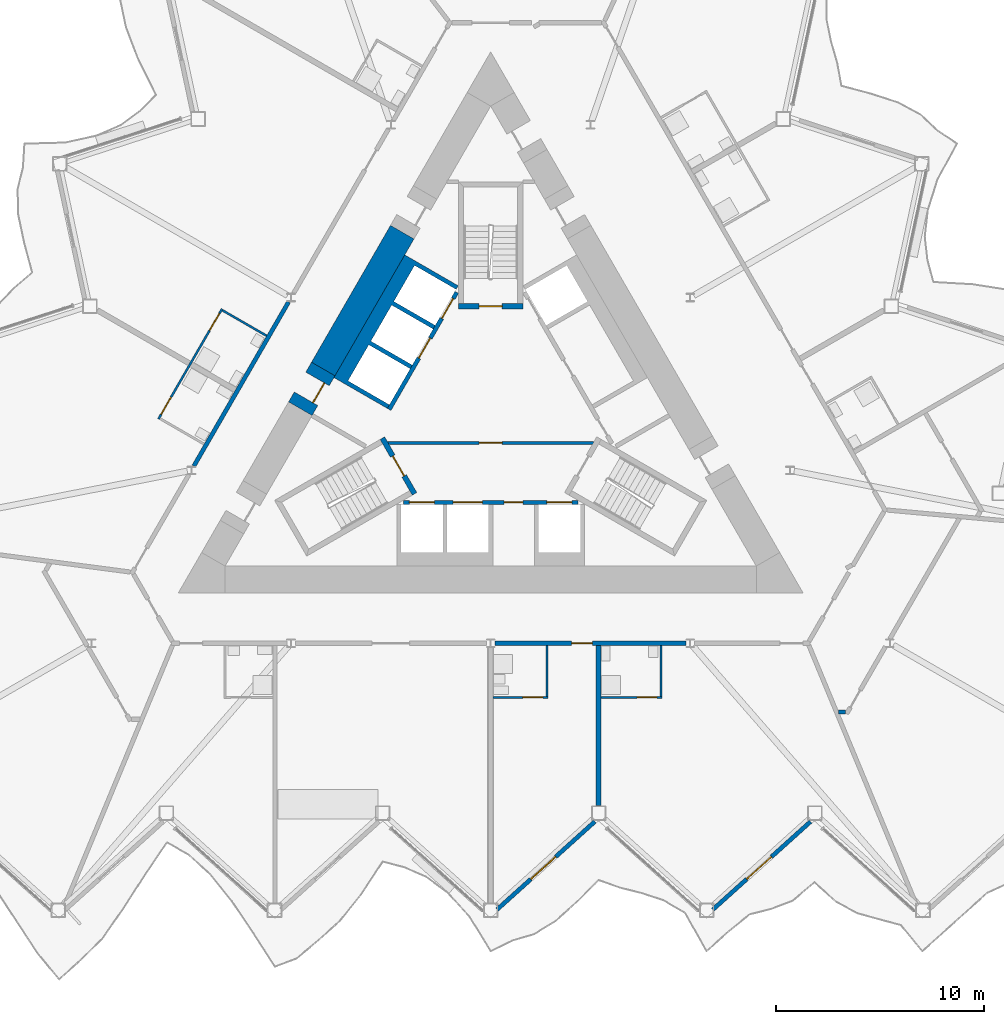
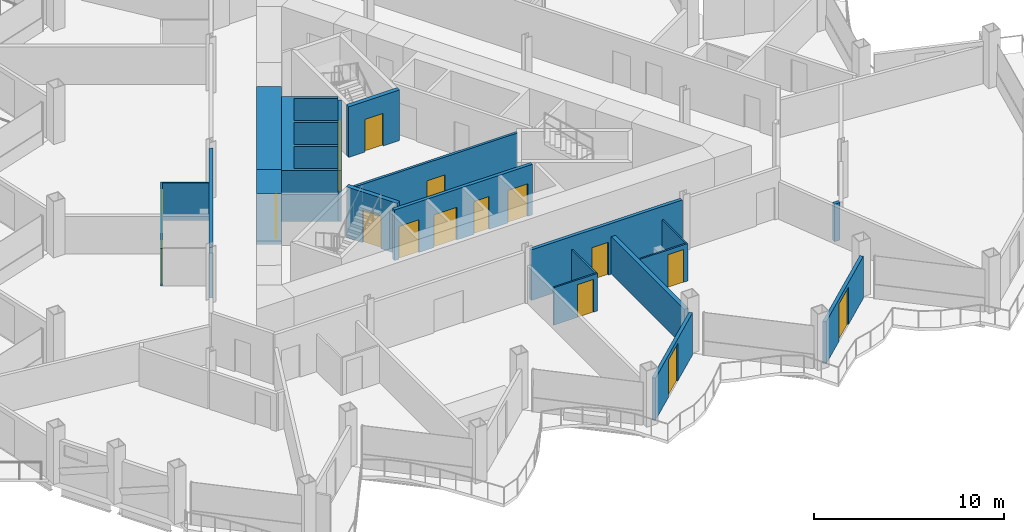
# One storey, part 12 of 23: 20 walls, 17 doors, 17 openings.
"""IFC4 building model written with IfcOpenShell, lengths in metres."""

import ifcopenshell
import ifcopenshell.guid

model = None  # the IFC model being written
_history = None  # IfcOwnerHistory: only IFC2X3 demands one
_inside = {}  # id of a spatial element -> (the spatial element, [elements in it])
_under = {}  # id of a project, library or spatial element -> (it, [spatial elements below it])
_declared = {}  # id of a project -> (the project, [libraries it declares])
_typed = {}  # id of a type object -> (the type object, [elements of that type])
_made_of = {}  # id of a material, layer set ... -> (it, [elements and type objects made of it])


def new_model(schema):
    """Start an empty IFC model of exactly this schema.

    Asked for "IFC4X3", IfcOpenShell would pick the latest addendum, in which some entities
    have other attributes; the version numbers below select the first issue.
    IFC2X3 requires an IfcOwnerHistory on every rooted entity: one is made here for all.
    """
    global model, _history
    if schema == "IFC4X3":
        model = ifcopenshell.file(schema_version=(4, 3, 0, 0))
    else:
        model = ifcopenshell.file(schema=schema)
    _inside.clear()
    _under.clear()
    _declared.clear()
    _typed.clear()
    _made_of.clear()
    _history = None
    if model.schema == "IFC2X3":
        org = make("IfcOrganization", Name="unknown")
        user = make(
            "IfcPersonAndOrganization",
            ThePerson=make("IfcPerson", FamilyName="unknown"),
            TheOrganization=org,
        )
        app = make(
            "IfcApplication",
            ApplicationDeveloper=org,
            Version="unknown",
            ApplicationFullName="unknown",
            ApplicationIdentifier="unknown",
        )
        _history = make(
            "IfcOwnerHistory",
            OwningUser=user,
            OwningApplication=app,
            ChangeAction="ADDED",
            CreationDate=0,
        )
    return model


def make(cls, **values):
    """One entity of the class cls with the attributes given. An attribute that is None is left unset."""
    return model.create_entity(
        cls, **{name: value for name, value in values.items() if value is not None}
    )


def rooted(cls, **values):
    """An entity with a GlobalId (a new one), such as an element, a storey or a relation."""
    return make(cls, GlobalId=ifcopenshell.guid.new(), OwnerHistory=_history, **values)


def si_unit(unit_type, name, prefix=None):
    """IfcSIUnit, for example si_unit("LENGTHUNIT", "METRE", prefix="MILLI")."""
    return make("IfcSIUnit", UnitType=unit_type, Prefix=prefix, Name=name)


def assignment(units):
    """IfcUnitAssignment: the units of a project."""
    return None if units is None else make("IfcUnitAssignment", Units=units)


def point(xyz):
    """IfcCartesianPoint."""
    return None if xyz is None else make("IfcCartesianPoint", Coordinates=xyz)


def direction(xyz):
    """IfcDirection."""
    return None if xyz is None else make("IfcDirection", DirectionRatios=xyz)


def frame(location, z_axis=None, x_axis=None):
    """IfcAxis2Placement3D, a coordinate frame: its origin and axes. An axis left out is left unset."""
    return make(
        "IfcAxis2Placement3D",
        Location=point(location),
        Axis=direction(z_axis),
        RefDirection=direction(x_axis),
    )


def frame_2d(location, x_axis=None):
    """IfcAxis2Placement2D, a coordinate frame in the plane: its origin and x axis."""
    return make(
        "IfcAxis2Placement2D", Location=point(location), RefDirection=direction(x_axis)
    )


def origin():
    """The frame at (0, 0, 0) with its axes left unset."""
    return frame((0.0, 0.0, 0.0))


def place(relative_to, where):
    """IfcLocalPlacement: puts the frame where relative to a parent placement (None: the world)."""
    return make(
        "IfcLocalPlacement", PlacementRelTo=relative_to, RelativePlacement=where
    )


def context(
    kind, dimensions, precision=None, world=None, true_north=None, identifier=None
):
    """IfcGeometricRepresentationContext, for example the 3D "Model" context."""
    return make(
        "IfcGeometricRepresentationContext",
        ContextIdentifier=identifier,
        ContextType=kind,
        CoordinateSpaceDimension=dimensions,
        Precision=precision,
        WorldCoordinateSystem=world,
        TrueNorth=true_north,
    )


def subcontext(parent, identifier, kind, view, scale=None):
    """IfcGeometricRepresentationSubContext, for example "Body" below "Model"."""
    return make(
        "IfcGeometricRepresentationSubContext",
        ContextIdentifier=identifier,
        ContextType=kind,
        ParentContext=parent,
        TargetScale=scale,
        TargetView=view,
    )


def project(units=None, contexts=None):
    """IfcProject with its units and contexts."""
    return rooted(
        "IfcProject",
        Name="project",
        RepresentationContexts=contexts,
        UnitsInContext=assignment(units),
    )


def spatial(cls, under=None, at=None, **own):
    """A site, building, storey or space (cls), placed at a placement, below another one or the project."""
    s = rooted(cls, ObjectPlacement=at, **own)
    if under is not None:
        _under.setdefault(under.id(), (under, []))[1].append(s)
    return s


def polyline(points):
    """IfcPolyline through the points."""
    return make("IfcPolyline", Points=[point(p) for p in points])


def profile(cls, at=None, kind="AREA", **sizes):
    """A parametric profile (cls). Its sizes go by their IFC names, for example OverallWidth=200.0."""
    return make(cls, ProfileType=kind, Position=at, **sizes)


def rectangle(**sizes):
    """IfcRectangleProfileDef."""
    return profile("IfcRectangleProfileDef", **sizes)


def outline(outer, holes=None, kind="AREA"):
    """IfcArbitraryClosedProfileDef: a profile drawn as a closed curve; with holes, ...WithVoids."""
    if holes is None:
        return make("IfcArbitraryClosedProfileDef", ProfileType=kind, OuterCurve=outer)
    return make(
        "IfcArbitraryProfileDefWithVoids",
        ProfileType=kind,
        OuterCurve=outer,
        InnerCurves=holes,
    )


def extrude(swept, where, along, depth):
    """IfcExtrudedAreaSolid: the profile swept, set in the frame where, extruded along a direction by depth."""
    return make(
        "IfcExtrudedAreaSolid",
        SweptArea=swept,
        Position=where,
        ExtrudedDirection=direction(along),
        Depth=depth,
    )


def shape(context_of_items, identifier, shape_type, items):
    """IfcShapeRepresentation: the items that make up one representation, for example the "Body"."""
    return make(
        "IfcShapeRepresentation",
        ContextOfItems=context_of_items,
        RepresentationIdentifier=identifier,
        RepresentationType=shape_type,
        Items=items,
    )


def material(Name=None, Category=None):
    """IfcMaterial."""
    return make("IfcMaterial", Name=Name, Category=Category)


def layer(
    of_material, thickness, ventilated=None, Name=None, Category=None, Priority=None
):
    """IfcMaterialLayer: one layer of a wall or slab, of a material (None: an air gap)."""
    return make(
        "IfcMaterialLayer",
        Material=of_material,
        LayerThickness=thickness,
        IsVentilated=ventilated,
        Name=Name,
        Category=Category,
        Priority=Priority,
    )


def layer_set(layers, Name=None):
    """IfcMaterialLayerSet."""
    return make("IfcMaterialLayerSet", MaterialLayers=layers, LayerSetName=Name)


def made_of(thing, what):
    """Note that an element or type object is made of a material, layer set ...; save() writes the relation."""
    if what is not None:
        _made_of.setdefault(what.id(), (what, []))[1].append(thing)
    return thing


def type_object(cls, material=None, **own):
    """A type object (cls), such as IfcWallType, which elements share."""
    return made_of(rooted(cls, **own), material)


def element(
    cls,
    number,
    at=None,
    inside=None,
    cuts=None,
    type_object=None,
    material=None,
    context=None,
    identifier="Body",
    shape_type=None,
    held_by="IfcProductDefinitionShape",
    body=None,
    shapes=None,
    **own,
):
    """One element of the class cls, such as IfcWall. Its Tag is "e" and its number.

    at: its placement. inside: the storey or other place that contains it. cuts: it is an
    opening in that element (IfcRelVoidsElement). A single representation is given by context,
    identifier, shape_type and body (its items); several are given by shapes. held_by: the class
    of the entity that holds the representations. save() writes the other relations.
    """
    e = rooted(cls, Tag="e%d" % number, ObjectPlacement=at, **own)
    if body is not None:
        shapes = [shape(context, identifier, shape_type, body)]
    if shapes is not None:
        e.Representation = make(held_by, Representations=shapes)
    if inside is not None:
        _inside.setdefault(inside.id(), (inside, []))[1].append(e)
    if cuts is not None:
        rooted(
            "IfcRelVoidsElement", RelatingBuildingElement=cuts, RelatedOpeningElement=e
        )
    if type_object is not None:
        _typed.setdefault(type_object.id(), (type_object, []))[1].append(e)
    return made_of(e, material)


def fill(opening, filler):
    """IfcRelFillsElement: the door or window that sits in an opening."""
    return rooted(
        "IfcRelFillsElement",
        RelatingOpeningElement=opening,
        RelatedBuildingElement=filler,
    )


def aggregate(whole, parts):
    """IfcRelAggregates: a whole, such as a stair, and the parts it consists of."""
    return rooted("IfcRelAggregates", RelatingObject=whole, RelatedObjects=parts)


def save(model, path):
    """Write the relations noted so far, then the file.

    IfcRelAggregates (storeys below a building ...), IfcRelContainedInSpatialStructure (elements
    in a storey), IfcRelDefinesByType, IfcRelAssociatesMaterial and IfcRelDeclares: one each for
    every whole, place, type object, material and project.
    """
    for whole, parts in _under.values():
        aggregate(whole, parts)
    for where, things in _inside.values():
        rooted(
            "IfcRelContainedInSpatialStructure",
            RelatedElements=things,
            RelatingStructure=where,
        )
    for kind, things in _typed.values():
        rooted("IfcRelDefinesByType", RelatedObjects=things, RelatingType=kind)
    for what, things in _made_of.values():
        rooted("IfcRelAssociatesMaterial", RelatedObjects=things, RelatingMaterial=what)
    for by, libraries in _declared.values():
        rooted("IfcRelDeclares", RelatingContext=by, RelatedDefinitions=libraries)
    model.write(path)


model = new_model("IFC4")

# Units and contexts
model_context = context("Model", 3, precision=1e-05, world=origin(), true_north=direction((0.0, 1.0)))
body_context = subcontext(model_context, "Body", "Model", "MODEL_VIEW")
ifc_project = project(units=[si_unit("LENGTHUNIT", "METRE"), si_unit("AREAUNIT", "SQUARE_METRE"), si_unit("VOLUMEUNIT", "CUBIC_METRE"), si_unit("PLANEANGLEUNIT", "RADIAN"), si_unit("MASSUNIT", "GRAM", prefix="KILO")], contexts=[model_context])

# Site, building, storey
site_placement = place(None, origin())
site = spatial("IfcSite", under=ifc_project, at=site_placement, CompositionType="ELEMENT")
building_placement = place(site_placement, origin())
building = spatial("IfcBuilding", under=site, at=building_placement, Name="Cormorant Prow Tower", CompositionType="ELEMENT")
storey_placement = place(building_placement, frame((0.0, 0.0, 256.199951171875)))
storey = spatial("IfcBuildingStorey", under=building, at=storey_placement, Name="L57", CompositionType="ELEMENT", Elevation=256.199951171875)

# Wall, opening, door
ifc_material_1 = material(Name="Gypsum board partition")
ifc_layer_1 = layer(ifc_material_1, 0.14990234375)
ifc_layer_set_1 = layer_set([ifc_layer_1], Name="Gypsum board partition")
wall_type_1 = type_object("IfcWallType", Name="Core partition 150", PredefinedType="PARTITIONING", material=ifc_layer_set_1)
wall_1_placement = place(storey_placement, frame((-4.941162109375, -1.449951171875, 0.0), z_axis=(0.0, 0.0, 1.0), x_axis=(1.0, 0.0, 0.0)))
wall_1 = element("IfcWall", 1, at=wall_1_placement, inside=storey, type_object=wall_type_1, Name="Firefighting lobby partition", PredefinedType="PARTITIONING", context=body_context, shape_type="SweptSolid", body=[
    extrude(rectangle(XDim=9.88232421875, YDim=0.14990234375, at=frame_2d((4.941162109375, 0.0))), origin(), (0.0, 0.0, 1.0), 3.25),
])
opening_1_placement = place(wall_1_placement, frame((4.39111328125, 0.0, 0.0)))
opening_1 = element("IfcOpeningElement", 2, at=opening_1_placement, cuts=wall_1, Name="Opening L57-C10", PredefinedType="OPENING", context=body_context, shape_type="SweptSolid", body=[
    extrude(rectangle(XDim=1.10009765625, YDim=2.10009765625, at=frame_2d((0.550048828125, 1.050048828125))), frame((0.0, 0.0849609375, 0.0), z_axis=(0.0, -1.0, 0.0), x_axis=(1.0, 0.0, 0.0)), (0.0, 0.0, 1.0), 0.169921875),
])
ifc_material_2 = material(Name="Painted steel", Category="steel")
door_type_1 = type_object("IfcDoorType", Name="Firefighting lobby door 1100x2100", OperationType="NOTDEFINED", PredefinedType="DOOR", material=ifc_material_2)
door_1_placement = place(opening_1_placement, origin())
door_1 = element("IfcDoor", 3, at=door_1_placement, inside=storey, type_object=door_type_1, Name="Firefighting lobby door", OperationType="SINGLE_SWING_RIGHT", OverallHeight=2.10009765625, OverallWidth=1.10009765625, PredefinedType="DOOR", context=body_context, shape_type="SweptSolid", body=[
    extrude(rectangle(XDim=1.10009765625, YDim=2.10009765625, at=frame_2d((0.550048828125, 1.050048828125))), frame((0.0, 0.02490234375, 0.0), z_axis=(0.0, -1.0, 0.0), x_axis=(1.0, 0.0, 0.0)), (0.0, 0.0, 1.0), 0.050048828125),
])
fill(opening_1, door_1)

# Wall
ifc_material_3 = material(Name="Concrete 8000 psi", Category="concrete")
ifc_layer_2 = layer(ifc_material_3, 1.300048828125)
ifc_layer_set_2 = layer_set([ifc_layer_2], Name="Concrete 8000 psi")
wall_type_2 = type_object("IfcWallType", Name="Core shear wall 1300", PredefinedType="SHEAR", material=ifc_layer_set_2)
wall_2_placement = place(storey_placement, frame((-4.2451171875, 8.667724609375, 0.0), z_axis=(0.0, 0.0, 1.0), x_axis=(-0.500002971097, -0.866023688414, 0.0)))
element("IfcWall", 4, at=wall_2_placement, inside=storey, type_object=wall_type_2, Name="Core wall", PredefinedType="SHEAR", context=body_context, shape_type="SweptSolid", body=[
    extrude(rectangle(XDim=7.583984375, YDim=1.300048828125, at=frame_2d((3.7919921875, 0.0))), origin(), (0.0, 0.0, 1.0), 3.25),
])

# Wall, opening, door
wall_3_placement = place(storey_placement, frame((-8.037109375, 2.099853515625, 0.0), z_axis=(0.0, 0.0, 1.0), x_axis=(-0.50002983664, -0.866008176907, 0.0)))
wall_3 = element("IfcWall", 5, at=wall_3_placement, inside=storey, type_object=wall_type_2, Name="Core wall door panel", PredefinedType="SHEAR", context=body_context, shape_type="SweptSolid", body=[
    extrude(rectangle(XDim=2.199951171875, YDim=1.300048828125, at=frame_2d((1.10009765625, 0.0))), origin(), (0.0, 0.0, 1.0), 3.25),
])
opening_2_placement = place(wall_3_placement, frame((0.550048828125, 0.0, 0.0)))
opening_2 = element("IfcOpeningElement", 6, at=opening_2_placement, cuts=wall_3, Name="Opening L57-C19", PredefinedType="OPENING", context=body_context, shape_type="SweptSolid", body=[
    extrude(rectangle(XDim=1.10009765625, YDim=2.10009765625, at=frame_2d((0.550048828125, 1.050048828125))), frame((0.0, 0.659912109375, 0.0), z_axis=(0.0, -1.0, 0.0), x_axis=(1.0, 0.0, 0.0)), (0.0, 0.0, 1.0), 1.320068359375),
])
ifc_material_4 = material(Name="Painted steel", Category="steel")
door_type_2 = type_object("IfcDoorType", Name="Core door 1100x2100", OperationType="NOTDEFINED", PredefinedType="DOOR", material=ifc_material_4)
door_2_placement = place(opening_2_placement, origin())
door_2 = element("IfcDoor", 7, at=door_2_placement, inside=storey, type_object=door_type_2, Name="Core door, lift lobby", OperationType="SINGLE_SWING_RIGHT", OverallHeight=2.10009765625, OverallWidth=1.10009765625, PredefinedType="DOOR", context=body_context, shape_type="SweptSolid", body=[
    extrude(rectangle(XDim=1.10009765625, YDim=2.10009765625, at=frame_2d((0.550048828125, 1.050048828125))), frame((0.0, 0.40478515625, 0.0), z_axis=(0.0, -1.0, 0.0), x_axis=(1.0, 0.0, 0.0)), (0.0, 0.0, 1.0), 0.050048828125),
])
fill(opening_2, door_2)

ifc_material_5 = material(Name="Gypsum board corridor wall")
ifc_layer_3 = layer(ifc_material_5, 0.199951171875)
ifc_layer_set_3 = layer_set([ifc_layer_3], Name="Gypsum board corridor wall")
wall_type_3 = type_object("IfcWallType", Name="Corridor wall 200", PredefinedType="PARTITIONING", material=ifc_layer_set_3)
wall_4_placement = place(storey_placement, frame((0.20947265625, -11.060302734375, 0.0), z_axis=(0.0, 0.0, 1.0), x_axis=(1.0, 0.0, 0.0)))
wall_4 = element("IfcWall", 8, at=wall_4_placement, inside=storey, type_object=wall_type_3, Name="Corridor wall", PredefinedType="PARTITIONING", context=body_context, shape_type="SweptSolid", body=[
    extrude(rectangle(XDim=9.159423828125, YDim=0.199951171875, at=frame_2d((4.57958984375, 0.0))), origin(), (0.0, 0.0, 1.0), 3.25),
])
opening_3_placement = place(wall_4_placement, frame((3.676513671875, 0.0, 0.0)))
opening_3 = element("IfcOpeningElement", 9, at=opening_3_placement, cuts=wall_4, Name="Opening L57-F04", PredefinedType="OPENING", context=body_context, shape_type="SweptSolid", body=[
    extrude(rectangle(XDim=1.0, YDim=2.10009765625, at=frame_2d((0.5, 1.050048828125))), frame((0.0, 0.10986328125, 0.0), z_axis=(0.0, -1.0, 0.0), x_axis=(1.0, 0.0, 0.0)), (0.0, 0.0, 1.0), 0.219970703125),
])
ifc_material_6 = material(Name="Timber door leaf", Category="wood")
door_type_3 = type_object("IfcDoorType", Name="Flat or room entrance door 1000x2100", OperationType="NOTDEFINED", PredefinedType="DOOR", material=ifc_material_6)
door_3_placement = place(opening_3_placement, origin())
door_3 = element("IfcDoor", 10, at=door_3_placement, inside=storey, type_object=door_type_3, Name="Guest room door", OperationType="SINGLE_SWING_RIGHT", OverallHeight=2.10009765625, OverallWidth=1.0, PredefinedType="DOOR", context=body_context, shape_type="SweptSolid", body=[
    extrude(rectangle(XDim=1.0, YDim=2.10009765625, at=frame_2d((0.5, 1.050048828125))), frame((0.0, 0.02490234375, 0.0), z_axis=(0.0, -1.0, 0.0), x_axis=(1.0, 0.0, 0.0)), (0.0, 0.0, 1.0), 0.050048828125),
])
fill(opening_3, door_3)

# Walls
wall_5_placement = place(storey_placement, frame((-14.24658203125, -2.5556640625, 0.0), z_axis=(0.0, 0.0, 1.0), x_axis=(0.49998193945, 0.866035830797, 0.0)))
element("IfcWall", 11, at=wall_5_placement, inside=storey, type_object=wall_type_3, Name="Corridor wall", PredefinedType="PARTITIONING", context=body_context, shape_type="SweptSolid", body=[
    extrude(rectangle(XDim=9.094482421875, YDim=0.199951171875, at=frame_2d((4.54736328125, 0.0))), origin(), (0.0, 0.0, 1.0), 3.25),
])
ifc_material_7 = material(Name="Gypsum board demising wall")
ifc_layer_4 = layer(ifc_material_7, 0.199951171875)
ifc_layer_set_4 = layer_set([ifc_layer_4], Name="Gypsum board demising wall")
wall_type_4 = type_object("IfcWallType", Name="Demising wall 200", PredefinedType="PARTITIONING", material=ifc_layer_set_4)
wall_6_placement = place(storey_placement, frame((16.69775390625, -14.3603515625, 0.0), z_axis=(0.0, 0.0, 1.0), x_axis=(1.0, 0.0, 0.0)))
element("IfcWall", 12, at=wall_6_placement, inside=storey, type_object=wall_type_4, Name="Demising wall", PredefinedType="PARTITIONING", context=body_context, shape_type="SweptSolid", body=[
    extrude(rectangle(XDim=0.33837890625, YDim=0.199951171875, at=frame_2d((0.169189453125, 0.0))), origin(), (0.0, 0.0, 1.0), 2.404296875),
])

# Wall, openings, doors
ifc_material_8 = material(Name="Gypsum board partition")
ifc_layer_5 = layer(ifc_material_8, 0.10009765625)
ifc_layer_set_5 = layer_set([ifc_layer_5], Name="Gypsum board partition")
wall_type_5 = type_object("IfcWallType", Name="Internal partition 100", PredefinedType="PARTITIONING", material=ifc_layer_set_5)
wall_7_placement = place(storey_placement, frame((-15.94482421875, -0.296875, 0.0), z_axis=(0.0, 0.0, 1.0), x_axis=(0.499978833458, 0.866037623948, 0.0)))
wall_7 = element("IfcWall", 13, at=wall_7_placement, inside=storey, type_object=wall_type_5, Name="Internal partition", PredefinedType="PARTITIONING", context=body_context, shape_type="SweptSolid", body=[
    extrude(rectangle(XDim=6.099853515625, YDim=0.10009765625, at=frame_2d((3.0498046875, 0.0))), origin(), (0.0, 0.0, 1.0), 2.404296875),
])
opening_4_placement = place(wall_7_placement, frame((4.89990234375, 0.0, 0.0)))
opening_4 = element("IfcOpeningElement", 14, at=opening_4_placement, cuts=wall_7, Name="Opening L57-F22", PredefinedType="OPENING", context=body_context, shape_type="SweptSolid", body=[
    extrude(rectangle(XDim=0.949951171875, YDim=2.10009765625, at=frame_2d((0.47509765625, 1.050048828125))), frame((0.0, 0.06005859375, 0.0), z_axis=(0.0, -1.0, 0.0), x_axis=(1.0, 0.0, 0.0)), (0.0, 0.0, 1.0), 0.1201171875),
])
opening_5_placement = place(wall_7_placement, frame((0.25, 0.0, 0.0)))
opening_5 = element("IfcOpeningElement", 15, at=opening_5_placement, cuts=wall_7, Name="Opening L57-F24", PredefinedType="OPENING", context=body_context, shape_type="SweptSolid", body=[
    extrude(rectangle(XDim=0.949951171875, YDim=2.10009765625, at=frame_2d((0.47509765625, 1.050048828125))), frame((0.0, 0.06005859375, 0.0), z_axis=(0.0, -1.0, 0.0), x_axis=(1.0, 0.0, 0.0)), (0.0, 0.0, 1.0), 0.1201171875),
])
ifc_material_9 = material(Name="Timber door leaf", Category="wood")
door_type_4 = type_object("IfcDoorType", Name="Bathroom door 950x2100", OperationType="NOTDEFINED", PredefinedType="DOOR", material=ifc_material_9)
door_4_placement = place(opening_4_placement, origin())
door_4 = element("IfcDoor", 16, at=door_4_placement, inside=storey, type_object=door_type_4, Name="Executive suite bedroom door", OperationType="SINGLE_SWING_RIGHT", OverallHeight=2.10009765625, OverallWidth=0.949951171875, PredefinedType="DOOR", context=body_context, shape_type="SweptSolid", body=[
    extrude(rectangle(XDim=0.949951171875, YDim=2.10009765625, at=frame_2d((0.47509765625, 1.050048828125))), frame((0.0, 0.02490234375, 0.0), z_axis=(0.0, -1.0, 0.0), x_axis=(1.0, 0.0, 0.0)), (0.0, 0.0, 1.0), 0.050048828125),
])
fill(opening_4, door_4)
door_5_placement = place(opening_5_placement, origin())
door_5 = element("IfcDoor", 17, at=door_5_placement, inside=storey, type_object=door_type_4, Name="Executive suite bedroom door", OperationType="SINGLE_SWING_LEFT", OverallHeight=2.10009765625, OverallWidth=0.949951171875, PredefinedType="DOOR", context=body_context, shape_type="SweptSolid", body=[
    extrude(rectangle(XDim=0.949951171875, YDim=2.10009765625, at=frame_2d((0.47509765625, 1.050048828125))), frame((0.0, 0.02490234375, 0.0), z_axis=(0.0, -1.0, 0.0), x_axis=(1.0, 0.0, 0.0)), (0.0, 0.0, 1.0), 0.050048828125),
])
fill(opening_5, door_5)

# Wall, opening, door
wall_8_placement = place(storey_placement, frame((5.304443359375, -13.660400390625, 0.0), z_axis=(0.0, 0.0, 1.0), x_axis=(1.0, 0.0, 0.0)))
wall_8 = element("IfcWall", 18, at=wall_8_placement, inside=storey, type_object=wall_type_5, Name="Internal partition", PredefinedType="PARTITIONING", context=body_context, shape_type="SweptSolid", body=[
    extrude(rectangle(XDim=2.925048828125, YDim=0.10009765625, at=frame_2d((1.46240234375, 0.0))), origin(), (0.0, 0.0, 1.0), 2.404296875),
])
opening_6_placement = place(wall_8_placement, frame((1.72509765625, 0.0, 0.0)))
opening_6 = element("IfcOpeningElement", 19, at=opening_6_placement, cuts=wall_8, Name="Opening L57-F07", PredefinedType="OPENING", context=body_context, shape_type="SweptSolid", body=[
    extrude(rectangle(XDim=0.949951171875, YDim=2.10009765625, at=frame_2d((0.47509765625, 1.050048828125))), frame((0.0, 0.06005859375, 0.0), z_axis=(0.0, -1.0, 0.0), x_axis=(1.0, 0.0, 0.0)), (0.0, 0.0, 1.0), 0.1201171875),
])
door_6_placement = place(opening_6_placement, origin())
door_6 = element("IfcDoor", 20, at=door_6_placement, inside=storey, type_object=door_type_4, Name="Executive suite bedroom door", OperationType="SINGLE_SWING_RIGHT", OverallHeight=2.10009765625, OverallWidth=0.949951171875, PredefinedType="DOOR", context=body_context, shape_type="SweptSolid", body=[
    extrude(rectangle(XDim=0.949951171875, YDim=2.10009765625, at=frame_2d((0.47509765625, 1.050048828125))), frame((0.0, 0.02490234375, 0.0), z_axis=(0.0, -1.0, 0.0), x_axis=(1.0, 0.0, 0.0)), (0.0, 0.0, 1.0), 0.050048828125),
])
fill(opening_6, door_6)

wall_9_placement = place(storey_placement, frame((0.10009765625, -13.660400390625, 0.0), z_axis=(0.0, 0.0, 1.0), x_axis=(1.0, 0.0, 0.0)))
wall_9 = element("IfcWall", 21, at=wall_9_placement, inside=storey, type_object=wall_type_5, Name="Internal partition", PredefinedType="PARTITIONING", context=body_context, shape_type="SweptSolid", body=[
    extrude(rectangle(XDim=2.64990234375, YDim=0.10009765625, at=frame_2d((1.324951171875, 0.0))), origin(), (0.0, 0.0, 1.0), 2.404296875),
])
opening_7_placement = place(wall_9_placement, frame((1.449951171875, 0.0, 0.0)))
opening_7 = element("IfcOpeningElement", 22, at=opening_7_placement, cuts=wall_9, Name="Opening L57-F05", PredefinedType="OPENING", context=body_context, shape_type="SweptSolid", body=[
    extrude(rectangle(XDim=0.949951171875, YDim=2.10009765625, at=frame_2d((0.47509765625, 1.050048828125))), frame((0.0, 0.06005859375, 0.0), z_axis=(0.0, -1.0, 0.0), x_axis=(1.0, 0.0, 0.0)), (0.0, 0.0, 1.0), 0.1201171875),
])
door_7_placement = place(opening_7_placement, origin())
door_7 = element("IfcDoor", 23, at=door_7_placement, inside=storey, type_object=door_type_4, Name="Guest room door", OperationType="SINGLE_SWING_RIGHT", OverallHeight=2.10009765625, OverallWidth=0.949951171875, PredefinedType="DOOR", context=body_context, shape_type="SweptSolid", body=[
    extrude(rectangle(XDim=0.949951171875, YDim=2.10009765625, at=frame_2d((0.47509765625, 1.050048828125))), frame((0.0, 0.02490234375, 0.0), z_axis=(0.0, -1.0, 0.0), x_axis=(1.0, 0.0, 0.0)), (0.0, 0.0, 1.0), 0.050048828125),
])
fill(opening_7, door_7)

# Walls
for number, where, z_axis, x_axis, name in (
    (24, (-12.876708984375, 4.91748046875, 0.0), (0.0, 0.0, 1.0), (0.866057815567, -0.499943856944, 0.0), "Internal partition"),
    (25, (2.699951171875, -13.6103515625, 0.0), (0.0, 0.0, 1.0), (0.0, 1.0, 0.0), "Internal partition"),
    (26, (8.179443359375, -13.6103515625, 0.0), (0.0, 0.0, 1.0), (0.0, 1.0, 0.0), "Internal partition"),
):
    element("IfcWall", number, at=place(storey_placement, frame(where, z_axis=z_axis, x_axis=x_axis)), inside=storey, type_object=wall_type_5, Name=name, PredefinedType="PARTITIONING", context=body_context, shape_type="SweptSolid", body=[
        extrude(rectangle(XDim=2.449951171875, YDim=0.10009765625, at=frame_2d((1.22509765625, 0.0))), origin(), (0.0, 0.0, 1.0), 2.404296875),
    ])

# Wall, openings, doors
ifc_material_10 = material(Name="Concrete 5000 psi", Category="concrete")
ifc_layer_6 = layer(ifc_material_10, 0.199951171875)
ifc_layer_set_6 = layer_set([ifc_layer_6], Name="Concrete 5000 psi")
wall_type_6 = type_object("IfcWallType", Name="Lift lobby wall 200", PredefinedType="SOLIDWALL", material=ifc_layer_set_6)
wall_10_placement = place(storey_placement, frame((-4.1865234375, -4.300048828125, 0.0), z_axis=(0.0, 0.0, 1.0), x_axis=(1.0, 0.0, 0.0)))
wall_10 = element("IfcWall", 27, at=wall_10_placement, inside=storey, type_object=wall_type_6, Name="Lift lobby wall, S block", PredefinedType="SOLIDWALL", context=body_context, shape_type="SweptSolid", body=[
    extrude(rectangle(XDim=8.373046875, YDim=0.199951171875, at=frame_2d((4.1865234375, 0.0))), origin(), (0.0, 0.0, 1.0), 3.25),
])
opening_8_placement = place(wall_10_placement, frame((0.28662109375, 0.0, 0.0)))
opening_8 = element("IfcOpeningElement", 28, at=opening_8_placement, cuts=wall_10, Name="Opening L57-C01", PredefinedType="OPENING", context=body_context, shape_type="SweptSolid", body=[
    extrude(rectangle(XDim=1.199951171875, YDim=2.10009765625, at=frame_2d((0.60009765625, 1.050048828125))), frame((0.0, 0.10986328125, 0.0), z_axis=(0.0, -1.0, 0.0), x_axis=(1.0, 0.0, 0.0)), (0.0, 0.0, 1.0), 0.219970703125),
])
opening_9_placement = place(wall_10_placement, frame((2.38671875, 0.0, 0.0)))
opening_9 = element("IfcOpeningElement", 29, at=opening_9_placement, cuts=wall_10, Name="Opening L57-C02", PredefinedType="OPENING", context=body_context, shape_type="SweptSolid", body=[
    extrude(rectangle(XDim=1.39990234375, YDim=2.10009765625, at=frame_2d((0.699951171875, 1.050048828125))), frame((0.0, 0.10986328125, 0.0), z_axis=(0.0, -1.0, 0.0), x_axis=(1.0, 0.0, 0.0)), (0.0, 0.0, 1.0), 0.219970703125),
])
opening_10_placement = place(wall_10_placement, frame((4.836669921875, 0.0, 0.0)))
opening_10 = element("IfcOpeningElement", 30, at=opening_10_placement, cuts=wall_10, Name="Opening L57-C03", PredefinedType="OPENING", context=body_context, shape_type="SweptSolid", body=[
    extrude(rectangle(XDim=0.89990234375, YDim=2.10009765625, at=frame_2d((0.449951171875, 1.050048828125))), frame((0.0, 0.10986328125, 0.0), z_axis=(0.0, -1.0, 0.0), x_axis=(1.0, 0.0, 0.0)), (0.0, 0.0, 1.0), 0.219970703125),
])
opening_11_placement = place(wall_10_placement, frame((6.88671875, 0.0, 0.0)))
opening_11 = element("IfcOpeningElement", 31, at=opening_11_placement, cuts=wall_10, Name="Opening L57-C04", PredefinedType="OPENING", context=body_context, shape_type="SweptSolid", body=[
    extrude(rectangle(XDim=1.199951171875, YDim=2.10009765625, at=frame_2d((0.60009765625, 1.050048828125))), frame((0.0, 0.10986328125, 0.0), z_axis=(0.0, -1.0, 0.0), x_axis=(1.0, 0.0, 0.0)), (0.0, 0.0, 1.0), 0.219970703125),
])
ifc_material_11 = material(Name="Painted steel", Category="steel")
door_type_5 = type_object("IfcDoorType", Name="Firefighting lift landing door 1200x2100", OperationType="SLIDING_TO_LEFT", PredefinedType="DOOR", material=ifc_material_11)
door_8_placement = place(opening_8_placement, origin())
door_8 = element("IfcDoor", 32, at=door_8_placement, inside=storey, type_object=door_type_5, Name="Landing door FL1", OperationType="SLIDING_TO_LEFT", OverallHeight=2.10009765625, OverallWidth=1.199951171875, PredefinedType="DOOR", context=body_context, shape_type="SweptSolid", body=[
    extrude(rectangle(XDim=1.199951171875, YDim=2.10009765625, at=frame_2d((0.60009765625, 1.050048828125))), frame((0.0, 0.02490234375, 0.0), z_axis=(0.0, -1.0, 0.0), x_axis=(1.0, 0.0, 0.0)), (0.0, 0.0, 1.0), 0.050048828125),
])
fill(opening_8, door_8)
door_9_placement = place(opening_11_placement, origin())
door_9 = element("IfcDoor", 33, at=door_9_placement, inside=storey, type_object=door_type_5, Name="Landing door FL2", OperationType="SLIDING_TO_LEFT", OverallHeight=2.10009765625, OverallWidth=1.199951171875, PredefinedType="DOOR", context=body_context, shape_type="SweptSolid", body=[
    extrude(rectangle(XDim=1.199951171875, YDim=2.10009765625, at=frame_2d((0.60009765625, 1.050048828125))), frame((0.0, 0.02490234375, 0.0), z_axis=(0.0, -1.0, 0.0), x_axis=(1.0, 0.0, 0.0)), (0.0, 0.0, 1.0), 0.050048828125),
])
fill(opening_11, door_9)
ifc_material_12 = material(Name="Painted steel", Category="steel")
door_type_6 = type_object("IfcDoorType", Name="Service door 900x2100", OperationType="NOTDEFINED", PredefinedType="DOOR", material=ifc_material_12)
door_10_placement = place(opening_10_placement, origin())
door_10 = element("IfcDoor", 34, at=door_10_placement, inside=storey, type_object=door_type_6, Name="Service door, Refuse store", OperationType="SINGLE_SWING_RIGHT", OverallHeight=2.10009765625, OverallWidth=0.89990234375, PredefinedType="DOOR", context=body_context, shape_type="SweptSolid", body=[
    extrude(rectangle(XDim=0.89990234375, YDim=2.10009765625, at=frame_2d((0.449951171875, 1.050048828125))), frame((0.0, 0.02490234375, 0.0), z_axis=(0.0, -1.0, 0.0), x_axis=(1.0, 0.0, 0.0)), (0.0, 0.0, 1.0), 0.050048828125),
])
fill(opening_10, door_10)
ifc_material_13 = material(Name="Painted steel", Category="steel")
door_type_7 = type_object("IfcDoorType", Name="Service lift landing door 1400x2100", OperationType="SLIDING_TO_LEFT", PredefinedType="DOOR", material=ifc_material_13)
door_11_placement = place(opening_9_placement, origin())
door_11 = element("IfcDoor", 35, at=door_11_placement, inside=storey, type_object=door_type_7, Name="Landing door SL1", OperationType="SLIDING_TO_LEFT", OverallHeight=2.10009765625, OverallWidth=1.39990234375, PredefinedType="DOOR", context=body_context, shape_type="SweptSolid", body=[
    extrude(rectangle(XDim=1.39990234375, YDim=2.10009765625, at=frame_2d((0.699951171875, 1.050048828125))), frame((0.0, 0.02490234375, 0.0), z_axis=(0.0, -1.0, 0.0), x_axis=(1.0, 0.0, 0.0)), (0.0, 0.0, 1.0), 0.050048828125),
])
fill(opening_9, door_11)

wall_11_placement = place(storey_placement, frame((-1.630615234375, 5.775634765625, 0.0), z_axis=(0.0, 0.0, 1.0), x_axis=(-0.499992876559, -0.866029516466, 0.0)))
wall_11 = element("IfcWall", 36, at=wall_11_placement, inside=storey, type_object=wall_type_6, Name="Lift lobby wall, WNW block", PredefinedType="SOLIDWALL", context=body_context, shape_type="SweptSolid", body=[
    extrude(rectangle(XDim=6.486328125, YDim=0.199951171875, at=frame_2d((3.2431640625, 0.0))), origin(), (0.0, 0.0, 1.0), 3.25),
])
opening_12_placement = place(wall_11_placement, frame((0.336669921875, 0.0, 0.0)))
opening_12 = element("IfcOpeningElement", 37, at=opening_12_placement, cuts=wall_11, Name="Opening L57-C08", PredefinedType="OPENING", context=body_context, shape_type="SweptSolid", body=[
    extrude(rectangle(XDim=1.10009765625, YDim=2.10009765625, at=frame_2d((0.550048828125, 1.050048828125))), frame((0.0, 0.10986328125, 0.0), z_axis=(0.0, -1.0, 0.0), x_axis=(1.0, 0.0, 0.0)), (0.0, 0.0, 1.0), 0.219970703125),
])
opening_13_placement = place(wall_11_placement, frame((2.53662109375, 0.0, 0.0)))
opening_13 = element("IfcOpeningElement", 38, at=opening_13_placement, cuts=wall_11, Name="Opening L57-C09", PredefinedType="OPENING", context=body_context, shape_type="SweptSolid", body=[
    extrude(rectangle(XDim=1.10009765625, YDim=2.10009765625, at=frame_2d((0.550048828125, 1.050048828125))), frame((0.0, 0.10986328125, 0.0), z_axis=(0.0, -1.0, 0.0), x_axis=(1.0, 0.0, 0.0)), (0.0, 0.0, 1.0), 0.219970703125),
])
ifc_material_14 = material(Name="Painted steel", Category="steel")
door_type_8 = type_object("IfcDoorType", Name="Lift landing door 1100x2100", OperationType="SLIDING_TO_LEFT", PredefinedType="DOOR", material=ifc_material_14)
door_12_placement = place(opening_12_placement, origin())
door_12 = element("IfcDoor", 39, at=door_12_placement, inside=storey, type_object=door_type_8, Name="Landing door MR2", OperationType="SLIDING_TO_LEFT", OverallHeight=2.10009765625, OverallWidth=1.10009765625, PredefinedType="DOOR", context=body_context, shape_type="SweptSolid", body=[
    extrude(rectangle(XDim=1.10009765625, YDim=2.10009765625, at=frame_2d((0.550048828125, 1.050048828125))), frame((0.0, 0.02490234375, 0.0), z_axis=(0.0, -1.0, 0.0), x_axis=(1.0, 0.0, 0.0)), (0.0, 0.0, 1.0), 0.050048828125),
])
fill(opening_12, door_12)
door_13_placement = place(opening_13_placement, origin())
door_13 = element("IfcDoor", 40, at=door_13_placement, inside=storey, type_object=door_type_8, Name="Landing door MR3", OperationType="SLIDING_TO_LEFT", OverallHeight=2.10009765625, OverallWidth=1.10009765625, PredefinedType="DOOR", context=body_context, shape_type="SweptSolid", body=[
    extrude(rectangle(XDim=1.10009765625, YDim=2.10009765625, at=frame_2d((0.550048828125, 1.050048828125))), frame((0.0, 0.02490234375, 0.0), z_axis=(0.0, -1.0, 0.0), x_axis=(1.0, 0.0, 0.0)), (0.0, 0.0, 1.0), 0.050048828125),
])
fill(opening_13, door_13)

# Wall
ifc_material_15 = material(Name="Concrete 8000 psi", Category="concrete")
ifc_layer_7 = layer(ifc_material_15, 0.199951171875)
ifc_layer_set_7 = layer_set([ifc_layer_7], Name="Concrete 8000 psi")
wall_type_7 = type_object("IfcWallType", Name="Lift shaft wall 200", PredefinedType="SHEAR", material=ifc_layer_set_7)
wall_12_placement = place(storey_placement, origin())
element("IfcWall", 41, at=wall_12_placement, inside=storey, type_object=wall_type_7, Name="Lift shaft walls, WNW block", PredefinedType="SHEAR", context=body_context, shape_type="SweptSolid", body=[
    extrude(outline(polyline([(-7.524169921875, 1.688232421875), (-4.124267578125, 7.5771484375), (-3.730712890625, 7.35009765625), (-1.560546875, 6.09716796875), (-1.660400390625, 5.923828125), (-3.65234375, 7.073974609375), (-4.65234375, 5.341796875), (-2.660400390625, 4.19189453125), (-2.760498046875, 4.018798828125), (-4.75244140625, 5.168701171875), (-5.75244140625, 3.4365234375), (-3.760498046875, 2.28662109375), (-3.860595703125, 2.11328125), (-5.852294921875, 3.263427734375), (-6.852294921875, 1.53125), (-4.860595703125, 0.38134765625), (-4.96044921875, 0.2080078125), (-7.130859375, 1.461181640625), (-7.524169921875, 1.688232421875)])), origin(), (0.0, 0.0, 1.0), 3.25),
])

# Wall, opening, door
ifc_material_16 = material(Name="Concrete 8000 psi", Category="concrete")
ifc_layer_8 = layer(ifc_material_16, 0.25)
ifc_layer_set_8 = layer_set([ifc_layer_8], Name="Concrete 8000 psi")
wall_type_8 = type_object("IfcWallType", Name="Stair wall 250", PredefinedType="SHEAR", material=ifc_layer_set_8)
wall_13_placement = place(storey_placement, frame((-5.198974609375, -1.21875, 0.0), z_axis=(0.0, 0.0, 1.0), x_axis=(0.499982516597, -0.866035497597, 0.0)))
wall_13 = element("IfcWall", 42, at=wall_13_placement, inside=storey, type_object=wall_type_8, Name="Stair ST1 door wall", PredefinedType="SHEAR", context=body_context, shape_type="SweptSolid", body=[
    extrude(rectangle(XDim=3.087890625, YDim=0.25, at=frame_2d((1.5439453125, 0.0))), origin(), (0.0, 0.0, 1.0), 3.25),
])
opening_14_placement = place(wall_13_placement, frame((0.993896484375, 0.0, 0.0)))
opening_14 = element("IfcOpeningElement", 43, at=opening_14_placement, cuts=wall_13, Name="Opening L57-C11", PredefinedType="OPENING", context=body_context, shape_type="SweptSolid", body=[
    extrude(rectangle(XDim=1.10009765625, YDim=2.10009765625, at=frame_2d((0.550048828125, 1.050048828125))), frame((0.0, 0.135009765625, 0.0), z_axis=(0.0, -1.0, 0.0), x_axis=(1.0, 0.0, 0.0)), (0.0, 0.0, 1.0), 0.27001953125),
])
ifc_material_17 = material(Name="Painted steel", Category="steel")
door_type_9 = type_object("IfcDoorType", Name="Stair door 1100x2100", OperationType="NOTDEFINED", PredefinedType="DOOR", material=ifc_material_17)
door_14_placement = place(opening_14_placement, origin())
door_14 = element("IfcDoor", 44, at=door_14_placement, inside=storey, type_object=door_type_9, Name="Stair ST1 door", OperationType="SINGLE_SWING_LEFT", OverallHeight=2.10009765625, OverallWidth=1.10009765625, PredefinedType="DOOR", context=body_context, shape_type="SweptSolid", body=[
    extrude(rectangle(XDim=1.10009765625, YDim=2.10009765625, at=frame_2d((0.550048828125, 1.050048828125))), frame((0.0, 0.02490234375, 0.0), z_axis=(0.0, -1.0, 0.0), x_axis=(1.0, 0.0, 0.0)), (0.0, 0.0, 1.0), 0.050048828125),
])
fill(opening_14, door_14)

wall_14_placement = place(storey_placement, frame((1.5439453125, 5.11181640625, 0.0), z_axis=(0.0, 0.0, 1.0), x_axis=(-1.0, 0.0, 0.0)))
wall_14 = element("IfcWall", 45, at=wall_14_placement, inside=storey, type_object=wall_type_8, Name="Stair ST3 door wall", PredefinedType="SHEAR", context=body_context, shape_type="SweptSolid", body=[
    extrude(rectangle(XDim=3.087890625, YDim=0.25, at=frame_2d((1.5439453125, 0.0))), origin(), (0.0, 0.0, 1.0), 3.25),
])
opening_15_placement = place(wall_14_placement, frame((0.993896484375, 0.0, 0.0)))
opening_15 = element("IfcOpeningElement", 46, at=opening_15_placement, cuts=wall_14, Name="Opening L57-C13", PredefinedType="OPENING", context=body_context, shape_type="SweptSolid", body=[
    extrude(rectangle(XDim=1.10009765625, YDim=2.10009765625, at=frame_2d((0.550048828125, 1.050048828125))), frame((0.0, 0.135009765625, 0.0), z_axis=(0.0, -1.0, 0.0), x_axis=(1.0, 0.0, 0.0)), (0.0, 0.0, 1.0), 0.27001953125),
])
door_15_placement = place(opening_15_placement, origin())
door_15 = element("IfcDoor", 47, at=door_15_placement, inside=storey, type_object=door_type_9, Name="Stair ST3 door", OperationType="SINGLE_SWING_RIGHT", OverallHeight=2.10009765625, OverallWidth=1.10009765625, PredefinedType="DOOR", context=body_context, shape_type="SweptSolid", body=[
    extrude(rectangle(XDim=1.10009765625, YDim=2.10009765625, at=frame_2d((0.550048828125, 1.050048828125))), frame((0.0, 0.02490234375, 0.0), z_axis=(0.0, -1.0, 0.0), x_axis=(1.0, 0.0, 0.0)), (0.0, 0.0, 1.0), 0.050048828125),
])
fill(opening_15, door_15)

# Wall
ifc_material_18 = material(Name="Acoustic gypsum party wall")
ifc_layer_9 = layer(ifc_material_18, 0.25)
ifc_layer_set_9 = layer_set([ifc_layer_9], Name="Acoustic gypsum party wall")
wall_type_9 = type_object("IfcWallType", Name="Suite party wall 250", PredefinedType="PARTITIONING", material=ifc_layer_set_9)
wall_15_placement = place(storey_placement, frame((5.179443359375, -18.85546875, 0.0), z_axis=(0.0, 0.0, 1.0), x_axis=(0.0, 1.0, 0.0)))
element("IfcWall", 48, at=wall_15_placement, inside=storey, type_object=wall_type_9, Name="Suite party wall", PredefinedType="PARTITIONING", context=body_context, shape_type="SweptSolid", body=[
    extrude(rectangle(XDim=7.695068359375, YDim=0.25, at=frame_2d((3.84765625, 0.0))), origin(), (0.0, 0.0, 1.0), 2.404296875),
])

# Wall, opening, door
ifc_material_19 = material(Name="Terracotta", Category="masonry")
ifc_layer_10 = layer(ifc_material_19, 0.199951171875)
ifc_layer_set_10 = layer_set([ifc_layer_10], Name="Terracotta")
wall_type_10 = type_object("IfcWallType", Name="Terracotta jamb wall 200", PredefinedType="SOLIDWALL", material=ifc_layer_set_10)
wall_16_placement = place(storey_placement, frame((0.305419921875, -23.84765625, 0.0), z_axis=(0.0, 0.0, 1.0), x_axis=(0.74314024121, 0.669135697668, 0.0)))
wall_16 = element("IfcWall", 49, at=wall_16_placement, inside=storey, type_object=wall_type_10, Name="Terracotta jamb wall S05", PredefinedType="SOLIDWALL", context=body_context, shape_type="SweptSolid", body=[
    extrude(rectangle(XDim=6.31103515625, YDim=0.199951171875, at=frame_2d((3.155517578125, 0.0))), origin(), (0.0, 0.0, 1.0), 2.700927734375),
])
opening_16_placement = place(wall_16_placement, frame((2.183837890625, 0.0, 0.0)))
opening_16 = element("IfcOpeningElement", 50, at=opening_16_placement, cuts=wall_16, Name="Opening ED57.03", PredefinedType="OPENING", context=body_context, shape_type="SweptSolid", body=[
    extrude(rectangle(XDim=1.60009765625, YDim=2.39990234375, at=frame_2d((0.800048828125, 1.199951171875))), frame((0.0, 0.10986328125, 0.0), z_axis=(0.0, -1.0, 0.0), x_axis=(1.0, 0.0, 0.0)), (0.0, 0.0, 1.0), 0.219970703125),
])
ifc_material_20 = material(Name="Aluminium 6063-T6", Category="aluminium")
door_type_10 = type_object("IfcDoorType", Name="Balcony door 1600x2400", OperationType="DOUBLE_DOOR_SINGLE_SWING", PredefinedType="DOOR", material=ifc_material_20)
door_16_placement = place(opening_16_placement, origin())
door_16 = element("IfcDoor", 51, at=door_16_placement, inside=storey, type_object=door_type_10, Name="Balcony door S05 ED57.03", OperationType="DOUBLE_DOOR_SINGLE_SWING", OverallHeight=2.39990234375, OverallWidth=1.60009765625, PredefinedType="DOOR", context=body_context, shape_type="SweptSolid", body=[
    extrude(rectangle(XDim=1.60009765625, YDim=2.39990234375, at=frame_2d((0.800048828125, 1.199951171875))), frame((0.0, 0.02490234375, 0.0), z_axis=(0.0, -1.0, 0.0), x_axis=(1.0, 0.0, 0.0)), (0.0, 0.0, 1.0), 0.050048828125),
])
fill(opening_16, door_16)

wall_17_placement = place(storey_placement, frame((10.664306640625, -23.84765625, 0.0), z_axis=(0.0, 0.0, 1.0), x_axis=(0.74314024121, 0.669135697668, 0.0)))
wall_17 = element("IfcWall", 52, at=wall_17_placement, inside=storey, type_object=wall_type_10, Name="Terracotta jamb wall S07", PredefinedType="SOLIDWALL", context=body_context, shape_type="SweptSolid", body=[
    extrude(rectangle(XDim=6.31103515625, YDim=0.199951171875, at=frame_2d((3.155517578125, 0.0))), origin(), (0.0, 0.0, 1.0), 2.700927734375),
])
opening_17_placement = place(wall_17_placement, frame((2.183837890625, 0.0, 0.0)))
opening_17 = element("IfcOpeningElement", 53, at=opening_17_placement, cuts=wall_17, Name="Opening ED57.04", PredefinedType="OPENING", context=body_context, shape_type="SweptSolid", body=[
    extrude(rectangle(XDim=1.60009765625, YDim=2.39990234375, at=frame_2d((0.800048828125, 1.199951171875))), frame((0.0, 0.10986328125, 0.0), z_axis=(0.0, -1.0, 0.0), x_axis=(1.0, 0.0, 0.0)), (0.0, 0.0, 1.0), 0.219970703125),
])
door_17_placement = place(opening_17_placement, origin())
door_17 = element("IfcDoor", 54, at=door_17_placement, inside=storey, type_object=door_type_10, Name="Balcony door S07 ED57.04", OperationType="DOUBLE_DOOR_SINGLE_SWING", OverallHeight=2.39990234375, OverallWidth=1.60009765625, PredefinedType="DOOR", context=body_context, shape_type="SweptSolid", body=[
    extrude(rectangle(XDim=1.60009765625, YDim=2.39990234375, at=frame_2d((0.800048828125, 1.199951171875))), frame((0.0, 0.02490234375, 0.0), z_axis=(0.0, -1.0, 0.0), x_axis=(1.0, 0.0, 0.0)), (0.0, 0.0, 1.0), 0.050048828125),
])
fill(opening_17, door_17)

save(model, "model.ifc")
